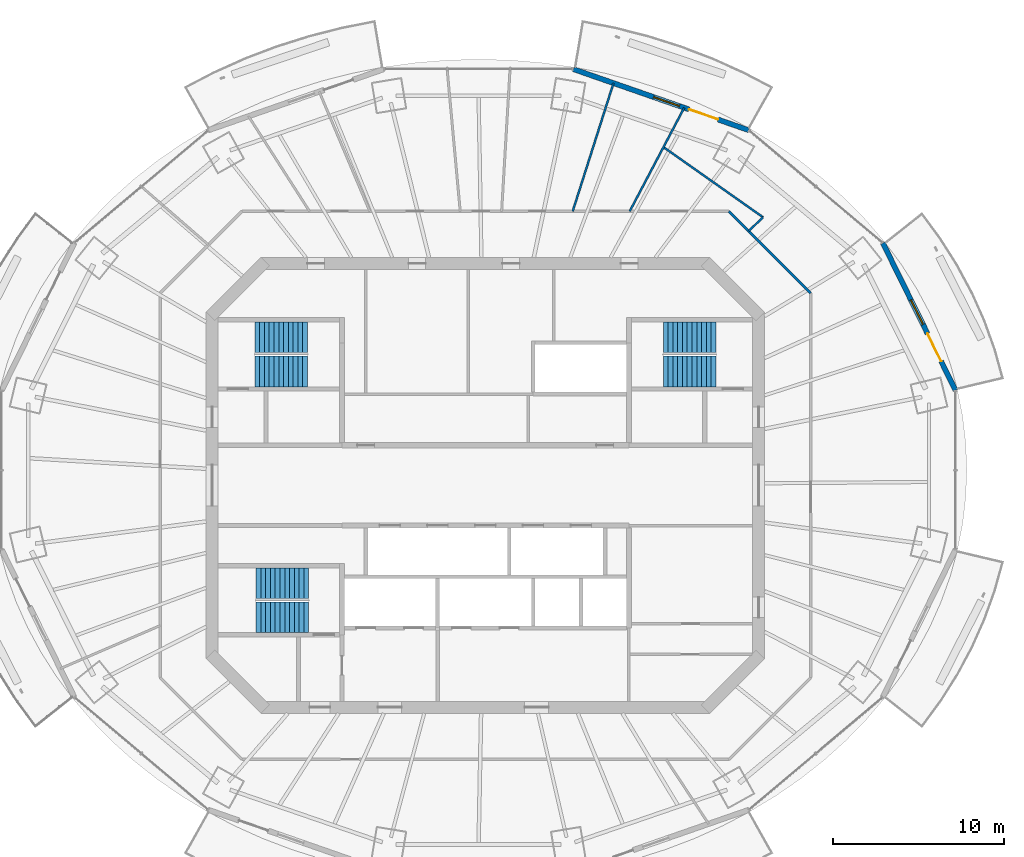
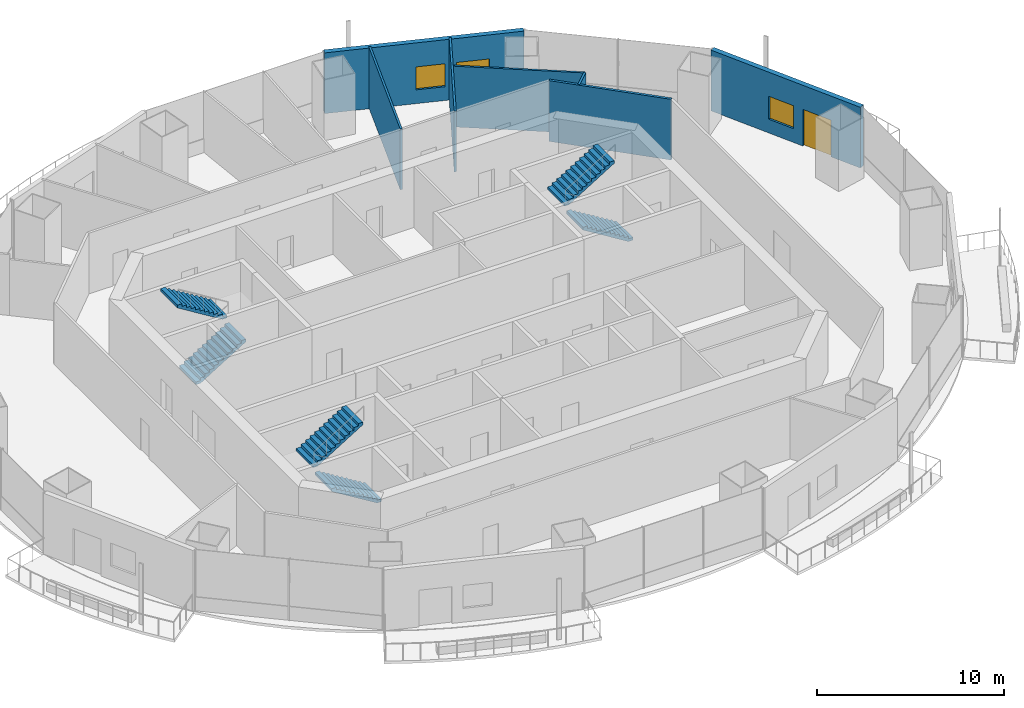
# One storey, part 11 of 16: 7 walls, 6 stair flights, 2 doors, 2 windows, 4 openings, 3 elements without a shape of their own.
"""IFC4 building model written with IfcOpenShell, lengths in metres."""

from ifc_helpers import new_model, si_unit, direction, frame, frame_2d, origin, place, context, subcontext, project, spatial, polyline, rectangle, outline, extrude, material, layer, layer_set, type_object, element, fill, aggregate, save


model = new_model("IFC4")

# Units and contexts
model_context = context("Model", 3, precision=1e-05, world=origin(), true_north=direction((0.0, 1.0)))
body_context = subcontext(model_context, "Body", "Model", "MODEL_VIEW")
ifc_project = project(units=[si_unit("LENGTHUNIT", "METRE"), si_unit("AREAUNIT", "SQUARE_METRE"), si_unit("VOLUMEUNIT", "CUBIC_METRE"), si_unit("PLANEANGLEUNIT", "RADIAN"), si_unit("MASSUNIT", "GRAM", prefix="KILO")], contexts=[model_context])

# Site, building, storey
site_placement = place(None, origin())
site = spatial("IfcSite", under=ifc_project, at=site_placement, CompositionType="ELEMENT")
building_placement = place(site_placement, origin())
building = spatial("IfcBuilding", under=site, at=building_placement, Name="Marenthal Gate Tower", CompositionType="ELEMENT")
storey_placement = place(building_placement, frame((0.0, 0.0, 301.10009765625)))
storey = spatial("IfcBuildingStorey", under=building, at=storey_placement, Name="L67", CompositionType="ELEMENT", Elevation=301.10009765625)

# Walls
ifc_material_1 = material(Name="Gypsum board on steel studs", Category="steel")
ifc_layer_1 = layer(ifc_material_1, 0.1201171875)
ifc_layer_set_1 = layer_set([ifc_layer_1], Name="Partition 120")
wall_type_1 = type_object("IfcWallType", Name="Partition 120", PredefinedType="PARTITIONING", material=ifc_layer_set_1)
wall_1_placement = place(storey_placement, frame((5.1103515625, 16.050048828125, 0.0), z_axis=(0.0, 0.0, 1.0), x_axis=(0.303413314571, 0.952859045474, 0.0)))
element("IfcWall", 1, at=wall_1_placement, inside=storey, type_object=wall_type_1, Name="Partition wall 62", PredefinedType="PARTITIONING", context=body_context, shape_type="SweptSolid", body=[
    extrude(rectangle(XDim=7.88232421875, YDim=0.1201171875, at=frame_2d((3.941162109375, 0.0))), origin(), (0.0, 0.0, 1.0), 3.969970703125),
])
wall_2_placement = place(storey_placement, frame((8.4482421875, 16.050048828125, 0.0), z_axis=(0.0, 0.0, 1.0), x_axis=(0.465797782517, 0.88489119433, 0.0)))
element("IfcWall", 2, at=wall_2_placement, inside=storey, type_object=wall_type_1, Name="Partition wall 63", PredefinedType="PARTITIONING", context=body_context, shape_type="SweptSolid", body=[
    extrude(rectangle(XDim=6.8583984375, YDim=0.1201171875, at=frame_2d((3.42919921875, 0.0))), origin(), (0.0, 0.0, 1.0), 3.969970703125),
])
wall_3_placement = place(storey_placement, frame((16.2578125, 15.7060546875, 0.0), z_axis=(0.0, 0.0, 1.0), x_axis=(-0.817482799525, 0.57595301239, 0.0)))
element("IfcWall", 3, at=wall_3_placement, inside=storey, type_object=wall_type_1, Name="Partition wall 67", PredefinedType="PARTITIONING", context=body_context, shape_type="SweptSolid", body=[
    extrude(rectangle(XDim=7.13037109375, YDim=0.1201171875, at=frame_2d((3.565185546875, 0.0))), origin(), (0.0, 0.0, 1.0), 3.969970703125),
])
wall_4_placement = place(storey_placement, frame((16.2578125, 15.7060546875, 0.0), z_axis=(0.0, 0.0, 1.0), x_axis=(-0.719134696688, -0.694870698778, 0.0)))
element("IfcWall", 4, at=wall_4_placement, inside=storey, type_object=wall_type_1, Name="Partition wall 68", PredefinedType="PARTITIONING", context=body_context, shape_type="SweptSolid", body=[
    extrude(rectangle(XDim=1.167236328125, YDim=0.1201171875, at=frame_2d((0.58349609375, 0.0))), origin(), (0.0, 0.0, 1.0), 3.969970703125),
])
ifc_material_2 = material(Name="Gypsum board on steel studs", Category="steel")
ifc_layer_2 = layer(ifc_material_2, 0.14990234375)
ifc_layer_set_2 = layer_set([ifc_layer_2], Name="Partition 150")
wall_type_2 = type_object("IfcWallType", Name="Partition 150", PredefinedType="PARTITIONING", material=ifc_layer_set_2)
wall_5_placement = place(storey_placement, frame((14.263427734375, 16.050048828125, 0.0), z_axis=(0.0, 0.0, 1.0), x_axis=(0.707106781187, -0.707106781187, 0.0)))
element("IfcWall", 5, at=wall_5_placement, inside=storey, type_object=wall_type_2, Name="Partition wall 66", PredefinedType="PARTITIONING", context=body_context, shape_type="SweptSolid", body=[
    extrude(rectangle(XDim=6.769287109375, YDim=0.14990234375, at=frame_2d((3.384765625, 0.0))), origin(), (0.0, 0.0, 1.0), 3.969970703125),
])

# Wall, openings, door, window
ifc_material_3 = material(Name="Terracotta cladding on insulated concrete-block backing", Category="masonry")
ifc_layer_3 = layer(ifc_material_3, 0.300048828125)
ifc_layer_set_3 = layer_set([ifc_layer_3], Name="Terracotta facade wall 300")
wall_type_3 = type_object("IfcWallType", Name="Terracotta facade wall 300", PredefinedType="SOLIDWALL", material=ifc_layer_set_3)
wall_6_placement = place(storey_placement, frame((27.52880859375, 5.570068359375, 0.0), z_axis=(0.0, 0.0, 1.0), x_axis=(-0.441998272381, 0.897015901315, 0.0)))
wall_6 = element("IfcWall", 6, at=wall_6_placement, inside=storey, type_object=wall_type_3, Name="Terracotta facade wall L67 bay 1", PredefinedType="SOLIDWALL", context=body_context, shape_type="SweptSolid", body=[
    extrude(rectangle(XDim=9.619873046875, YDim=0.300048828125, at=frame_2d((4.81005859375, 0.0))), origin(), (0.0, 0.0, 1.0), 3.969970703125),
])
opening_1_placement = place(wall_6_placement, frame((1.89990234375, 0.0, 0.0)))
opening_1 = element("IfcOpeningElement", 7, at=opening_1_placement, cuts=wall_6, Name="Opening BD-L67-01", PredefinedType="OPENING", context=body_context, shape_type="SweptSolid", body=[
    extrude(rectangle(XDim=1.800048828125, YDim=2.39990234375, at=frame_2d((0.89990234375, 1.199951171875))), frame((0.0, 0.16015625, 0.0), z_axis=(0.0, -1.0, 0.0), x_axis=(1.0, 0.0, 0.0)), (0.0, 0.0, 1.0), 0.320068359375),
])
opening_2_placement = place(wall_6_placement, frame((4.300048828125, 0.0, 0.89990234375)))
opening_2 = element("IfcOpeningElement", 8, at=opening_2_placement, cuts=wall_6, Name="Opening WN3-L67-01", PredefinedType="OPENING", context=body_context, shape_type="SweptSolid", body=[
    extrude(rectangle(XDim=1.60009765625, YDim=1.5, at=frame_2d((0.800048828125, 0.75))), frame((0.0, 0.16015625, 0.0), z_axis=(0.0, -1.0, 0.0), x_axis=(1.0, 0.0, 0.0)), (0.0, 0.0, 1.0), 0.320068359375),
])
ifc_material_4 = material(Name="Aluminium and glass", Category="aluminium")
door_type = type_object("IfcDoorType", Name="Balcony door 1800x2400", OperationType="DOUBLE_DOOR_SINGLE_SWING", PredefinedType="DOOR", material=ifc_material_4)
door_1_placement = place(opening_1_placement, origin())
door_1 = element("IfcDoor", 9, at=door_1_placement, inside=storey, type_object=door_type, Name="Balcony door L67 bay 1", OperationType="SINGLE_SWING_LEFT", OverallHeight=2.39990234375, OverallWidth=1.800048828125, PredefinedType="DOOR", context=body_context, shape_type="SweptSolid", body=[
    extrude(rectangle(XDim=1.800048828125, YDim=2.39990234375, at=frame_2d((0.89990234375, 1.199951171875))), frame((0.0, 0.02490234375, 0.0), z_axis=(0.0, -1.0, 0.0), x_axis=(1.0, 0.0, 0.0)), (0.0, 0.0, 1.0), 0.050048828125),
])
fill(opening_1, door_1)
ifc_material_5 = material(Name="Aluminium and glass", Category="aluminium")
window_type = type_object("IfcWindowType", Name="Window 1600x1500", PartitioningType="DOUBLE_PANEL_VERTICAL", PredefinedType="WINDOW", material=ifc_material_5)
window_1_placement = place(opening_2_placement, origin())
window_1 = element("IfcWindow", 10, at=window_1_placement, inside=storey, type_object=window_type, Name="Window L67 bay 1", OverallHeight=1.5, OverallWidth=1.60009765625, PartitioningType="SINGLE_PANEL", PredefinedType="WINDOW", context=body_context, shape_type="SweptSolid", body=[
    extrude(rectangle(XDim=1.60009765625, YDim=1.5, at=frame_2d((0.800048828125, 0.75))), frame((0.0, 0.030029296875, 0.0), z_axis=(0.0, -1.0, 0.0), x_axis=(1.0, 0.0, 0.0)), (0.0, 0.0, 1.0), 0.06005859375),
])
fill(opening_2, window_1)

wall_7_placement = place(storey_placement, frame((15.42041015625, 20.8037109375, 0.0), z_axis=(0.0, 0.0, 1.0), x_axis=(-0.944390086162, 0.328827257323, 0.0)))
wall_7 = element("IfcWall", 11, at=wall_7_placement, inside=storey, type_object=wall_type_3, Name="Terracotta facade wall L67 bay 3", PredefinedType="SOLIDWALL", context=body_context, shape_type="SweptSolid", body=[
    extrude(rectangle(XDim=10.86962890625, YDim=0.300048828125, at=frame_2d((5.434814453125, 0.0))), origin(), (0.0, 0.0, 1.0), 3.969970703125),
])
opening_3_placement = place(wall_7_placement, frame((1.89990234375, 0.0, 0.0)))
opening_3 = element("IfcOpeningElement", 12, at=opening_3_placement, cuts=wall_7, Name="Opening BD-L67-03", PredefinedType="OPENING", context=body_context, shape_type="SweptSolid", body=[
    extrude(rectangle(XDim=1.800048828125, YDim=2.39990234375, at=frame_2d((0.89990234375, 1.199951171875))), frame((0.0, 0.16015625, 0.0), z_axis=(0.0, -1.0, 0.0), x_axis=(1.0, 0.0, 0.0)), (0.0, 0.0, 1.0), 0.320068359375),
])
opening_4_placement = place(wall_7_placement, frame((4.300048828125, 0.0, 0.89990234375)))
opening_4 = element("IfcOpeningElement", 13, at=opening_4_placement, cuts=wall_7, Name="Opening WN3-L67-03", PredefinedType="OPENING", context=body_context, shape_type="SweptSolid", body=[
    extrude(rectangle(XDim=1.60009765625, YDim=1.5, at=frame_2d((0.800048828125, 0.75))), frame((0.0, 0.16015625, 0.0), z_axis=(0.0, -1.0, 0.0), x_axis=(1.0, 0.0, 0.0)), (0.0, 0.0, 1.0), 0.320068359375),
])
door_2_placement = place(opening_3_placement, origin())
door_2 = element("IfcDoor", 14, at=door_2_placement, inside=storey, type_object=door_type, Name="Balcony door L67 bay 3", OperationType="SINGLE_SWING_LEFT", OverallHeight=2.39990234375, OverallWidth=1.800048828125, PredefinedType="DOOR", context=body_context, shape_type="SweptSolid", body=[
    extrude(rectangle(XDim=1.800048828125, YDim=2.39990234375, at=frame_2d((0.89990234375, 1.199951171875))), frame((0.0, 0.02490234375, 0.0), z_axis=(0.0, -1.0, 0.0), x_axis=(1.0, 0.0, 0.0)), (0.0, 0.0, 1.0), 0.050048828125),
])
fill(opening_3, door_2)
window_2_placement = place(opening_4_placement, origin())
window_2 = element("IfcWindow", 15, at=window_2_placement, inside=storey, type_object=window_type, Name="Window L67 bay 3", OverallHeight=1.5, OverallWidth=1.60009765625, PartitioningType="SINGLE_PANEL", PredefinedType="WINDOW", context=body_context, shape_type="SweptSolid", body=[
    extrude(rectangle(XDim=1.60009765625, YDim=1.5, at=frame_2d((0.800048828125, 0.75))), frame((0.0, 0.030029296875, 0.0), z_axis=(0.0, -1.0, 0.0), x_axis=(1.0, 0.0, 0.0)), (0.0, 0.0, 1.0), 0.06005859375),
])
fill(opening_4, window_2)

# Stair, stair flights
ifc_material_6 = material(Name="Concrete 40 MPa", Category="concrete")
stair_type = type_object("IfcStairType", Name="Exit stair 1800", PredefinedType="HALF_TURN_STAIR", material=ifc_material_6)
stair_1_placement = place(storey_placement, origin())
stair_1 = element("IfcStair", 16, at=stair_1_placement, inside=storey, type_object=stair_type, Name="Stair ST1", PredefinedType="HALF_TURN_STAIR")
ifc_material_7 = material(Name="Concrete 40 MPa", Category="concrete")
stair_flight_type = type_object("IfcStairFlightType", Name="Stair flight 1800", PredefinedType="STRAIGHT", material=ifc_material_7)
stair_flight_1_placement = place(storey_placement, frame((-13.5, 6.675048828125, 0.0), z_axis=(0.0, 0.0, 1.0), x_axis=(1.0, 0.0, 0.0)))
stair_flight_1 = element("IfcStairFlight", 17, at=stair_flight_1_placement, type_object=stair_flight_type, Name="ST1 flight 1", NumberOfRisers=12, NumberOfTreads=11, PredefinedType="STRAIGHT", RiserHeight=0.172916667, TreadLength=0.28, context=body_context, shape_type="SweptSolid", body=[
    extrude(outline(polyline([(0.0, 0.0), (0.0, 0.1728515625), (0.280029296875, 0.1728515625), (0.280029296875, 0.345947265625), (0.56005859375, 0.345947265625), (0.56005859375, 0.518798828125), (0.840087890625, 0.518798828125), (0.840087890625, 0.691650390625), (1.1201171875, 0.691650390625), (1.1201171875, 0.864501953125), (1.39990234375, 0.864501953125), (1.39990234375, 1.03759765625), (1.679931640625, 1.03759765625), (1.679931640625, 1.21044921875), (1.9599609375, 1.21044921875), (1.9599609375, 1.38330078125), (2.239990234375, 1.38330078125), (2.239990234375, 1.55615234375), (2.52001953125, 1.55615234375), (2.52001953125, 1.729248046875), (2.800048828125, 1.729248046875), (2.800048828125, 1.902099609375), (3.080078125, 1.902099609375), (3.080078125, 2.074951171875), (3.080078125, 1.725830078125), (0.285400390625, 0.0), (0.0, 0.0)])), frame((0.0, 0.89990234375, 0.0), z_axis=(0.0, -1.0, 0.0), x_axis=(1.0, 0.0, 0.0)), (0.0, 0.0, 1.0), 1.800048828125),
])
stair_flight_2_placement = place(storey_placement, frame((-10.419921875, 8.675048828125, 2.074951171875), z_axis=(0.0, 0.0, 1.0), x_axis=(-1.0, 0.0, 0.0)))
stair_flight_2 = element("IfcStairFlight", 18, at=stair_flight_2_placement, type_object=stair_flight_type, Name="ST1 flight 2", NumberOfRisers=12, NumberOfTreads=11, PredefinedType="STRAIGHT", RiserHeight=0.172916667, TreadLength=0.28, context=body_context, shape_type="SweptSolid", body=[
    extrude(outline(polyline([(0.0, 0.0), (0.0, 0.1728515625), (0.280029296875, 0.1728515625), (0.280029296875, 0.345947265625), (0.56005859375, 0.345947265625), (0.56005859375, 0.518798828125), (0.840087890625, 0.518798828125), (0.840087890625, 0.691650390625), (1.1201171875, 0.691650390625), (1.1201171875, 0.864501953125), (1.39990234375, 0.864501953125), (1.39990234375, 1.03759765625), (1.679931640625, 1.03759765625), (1.679931640625, 1.21044921875), (1.9599609375, 1.21044921875), (1.9599609375, 1.38330078125), (2.239990234375, 1.38330078125), (2.239990234375, 1.55615234375), (2.52001953125, 1.55615234375), (2.52001953125, 1.729248046875), (2.800048828125, 1.729248046875), (2.800048828125, 1.902099609375), (3.080078125, 1.902099609375), (3.080078125, 2.074951171875), (3.080078125, 1.725830078125), (0.285400390625, 0.0), (0.0, 0.0)])), frame((0.0, 0.89990234375, 0.0), z_axis=(0.0, -1.0, 0.0), x_axis=(1.0, 0.0, 0.0)), (0.0, 0.0, 1.0), 1.800048828125),
])
aggregate(stair_1, [stair_flight_1, stair_flight_2])

stair_2_placement = place(storey_placement, origin())
stair_2 = element("IfcStair", 19, at=stair_2_placement, inside=storey, type_object=stair_type, Name="Stair ST2", PredefinedType="HALF_TURN_STAIR")
stair_flight_3_placement = place(storey_placement, frame((-10.35009765625, -7.72509765625, 0.0), z_axis=(0.0, 0.0, 1.0), x_axis=(-1.0, 0.0, 0.0)))
stair_flight_3 = element("IfcStairFlight", 20, at=stair_flight_3_placement, type_object=stair_flight_type, Name="ST2 flight 1", NumberOfRisers=12, NumberOfTreads=11, PredefinedType="STRAIGHT", RiserHeight=0.172916667, TreadLength=0.28, context=body_context, shape_type="SweptSolid", body=[
    extrude(outline(polyline([(0.0, 0.0), (0.0, 0.1728515625), (0.280029296875, 0.1728515625), (0.280029296875, 0.345947265625), (0.56005859375, 0.345947265625), (0.56005859375, 0.518798828125), (0.840087890625, 0.518798828125), (0.840087890625, 0.691650390625), (1.1201171875, 0.691650390625), (1.1201171875, 0.864501953125), (1.39990234375, 0.864501953125), (1.39990234375, 1.03759765625), (1.679931640625, 1.03759765625), (1.679931640625, 1.21044921875), (1.9599609375, 1.21044921875), (1.9599609375, 1.38330078125), (2.239990234375, 1.38330078125), (2.239990234375, 1.55615234375), (2.52001953125, 1.55615234375), (2.52001953125, 1.729248046875), (2.800048828125, 1.729248046875), (2.800048828125, 1.902099609375), (3.080078125, 1.902099609375), (3.080078125, 2.074951171875), (3.080078125, 1.725830078125), (0.285400390625, 0.0), (0.0, 0.0)])), frame((0.0, 0.89990234375, 0.0), z_axis=(0.0, -1.0, 0.0), x_axis=(1.0, 0.0, 0.0)), (0.0, 0.0, 1.0), 1.800048828125),
])
stair_flight_4_placement = place(storey_placement, frame((-13.429931640625, -5.72509765625, 2.074951171875), z_axis=(0.0, 0.0, 1.0), x_axis=(1.0, 0.0, 0.0)))
stair_flight_4 = element("IfcStairFlight", 21, at=stair_flight_4_placement, type_object=stair_flight_type, Name="ST2 flight 2", NumberOfRisers=12, NumberOfTreads=11, PredefinedType="STRAIGHT", RiserHeight=0.172916667, TreadLength=0.28, context=body_context, shape_type="SweptSolid", body=[
    extrude(outline(polyline([(0.0, 0.0), (0.0, 0.1728515625), (0.280029296875, 0.1728515625), (0.280029296875, 0.345947265625), (0.56005859375, 0.345947265625), (0.56005859375, 0.518798828125), (0.840087890625, 0.518798828125), (0.840087890625, 0.691650390625), (1.1201171875, 0.691650390625), (1.1201171875, 0.864501953125), (1.39990234375, 0.864501953125), (1.39990234375, 1.03759765625), (1.679931640625, 1.03759765625), (1.679931640625, 1.21044921875), (1.9599609375, 1.21044921875), (1.9599609375, 1.38330078125), (2.239990234375, 1.38330078125), (2.239990234375, 1.55615234375), (2.52001953125, 1.55615234375), (2.52001953125, 1.729248046875), (2.800048828125, 1.729248046875), (2.800048828125, 1.902099609375), (3.080078125, 1.902099609375), (3.080078125, 2.074951171875), (3.080078125, 1.725830078125), (0.285400390625, 0.0), (0.0, 0.0)])), frame((0.0, 0.89990234375, 0.0), z_axis=(0.0, -1.0, 0.0), x_axis=(1.0, 0.0, 0.0)), (0.0, 0.0, 1.0), 1.800048828125),
])
aggregate(stair_2, [stair_flight_3, stair_flight_4])

stair_3_placement = place(storey_placement, origin())
stair_3 = element("IfcStair", 22, at=stair_3_placement, inside=storey, type_object=stair_type, Name="Stair ST3", PredefinedType="HALF_TURN_STAIR")
stair_flight_5_placement = place(storey_placement, frame((13.5, 6.675048828125, 0.0), z_axis=(0.0, 0.0, 1.0), x_axis=(-1.0, 0.0, 0.0)))
stair_flight_5 = element("IfcStairFlight", 23, at=stair_flight_5_placement, type_object=stair_flight_type, Name="ST3 flight 1", NumberOfRisers=12, NumberOfTreads=11, PredefinedType="STRAIGHT", RiserHeight=0.172916667, TreadLength=0.28, context=body_context, shape_type="SweptSolid", body=[
    extrude(outline(polyline([(0.0, 0.0), (0.0, 0.1728515625), (0.280029296875, 0.1728515625), (0.280029296875, 0.345947265625), (0.56005859375, 0.345947265625), (0.56005859375, 0.518798828125), (0.840087890625, 0.518798828125), (0.840087890625, 0.691650390625), (1.1201171875, 0.691650390625), (1.1201171875, 0.864501953125), (1.39990234375, 0.864501953125), (1.39990234375, 1.03759765625), (1.679931640625, 1.03759765625), (1.679931640625, 1.21044921875), (1.9599609375, 1.21044921875), (1.9599609375, 1.38330078125), (2.239990234375, 1.38330078125), (2.239990234375, 1.55615234375), (2.52001953125, 1.55615234375), (2.52001953125, 1.729248046875), (2.800048828125, 1.729248046875), (2.800048828125, 1.902099609375), (3.080078125, 1.902099609375), (3.080078125, 2.074951171875), (3.080078125, 1.725830078125), (0.285400390625, 0.0), (0.0, 0.0)])), frame((0.0, 0.89990234375, 0.0), z_axis=(0.0, -1.0, 0.0), x_axis=(1.0, 0.0, 0.0)), (0.0, 0.0, 1.0), 1.800048828125),
])
stair_flight_6_placement = place(storey_placement, frame((10.419921875, 8.675048828125, 2.074951171875), z_axis=(0.0, 0.0, 1.0), x_axis=(1.0, 0.0, 0.0)))
stair_flight_6 = element("IfcStairFlight", 24, at=stair_flight_6_placement, type_object=stair_flight_type, Name="ST3 flight 2", NumberOfRisers=12, NumberOfTreads=11, PredefinedType="STRAIGHT", RiserHeight=0.172916667, TreadLength=0.28, context=body_context, shape_type="SweptSolid", body=[
    extrude(outline(polyline([(0.0, 0.0), (0.0, 0.1728515625), (0.280029296875, 0.1728515625), (0.280029296875, 0.345947265625), (0.56005859375, 0.345947265625), (0.56005859375, 0.518798828125), (0.840087890625, 0.518798828125), (0.840087890625, 0.691650390625), (1.1201171875, 0.691650390625), (1.1201171875, 0.864501953125), (1.39990234375, 0.864501953125), (1.39990234375, 1.03759765625), (1.679931640625, 1.03759765625), (1.679931640625, 1.21044921875), (1.9599609375, 1.21044921875), (1.9599609375, 1.38330078125), (2.239990234375, 1.38330078125), (2.239990234375, 1.55615234375), (2.52001953125, 1.55615234375), (2.52001953125, 1.729248046875), (2.800048828125, 1.729248046875), (2.800048828125, 1.902099609375), (3.080078125, 1.902099609375), (3.080078125, 2.074951171875), (3.080078125, 1.725830078125), (0.285400390625, 0.0), (0.0, 0.0)])), frame((0.0, 0.89990234375, 0.0), z_axis=(0.0, -1.0, 0.0), x_axis=(1.0, 0.0, 0.0)), (0.0, 0.0, 1.0), 1.800048828125),
])
aggregate(stair_3, [stair_flight_5, stair_flight_6])

save(model, "model.ifc")
